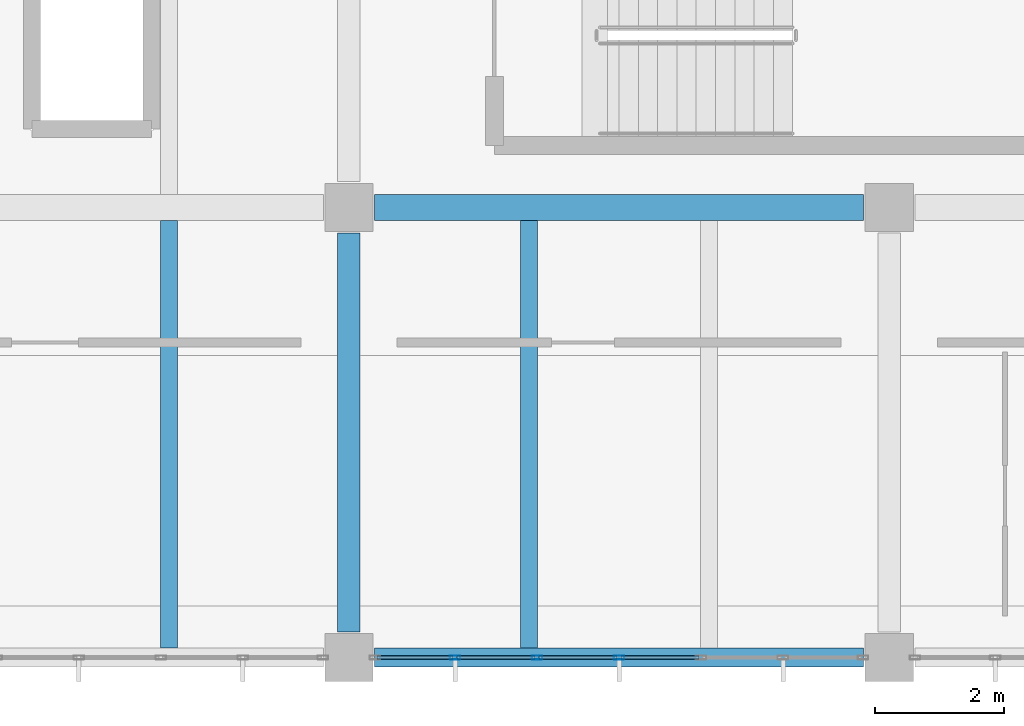
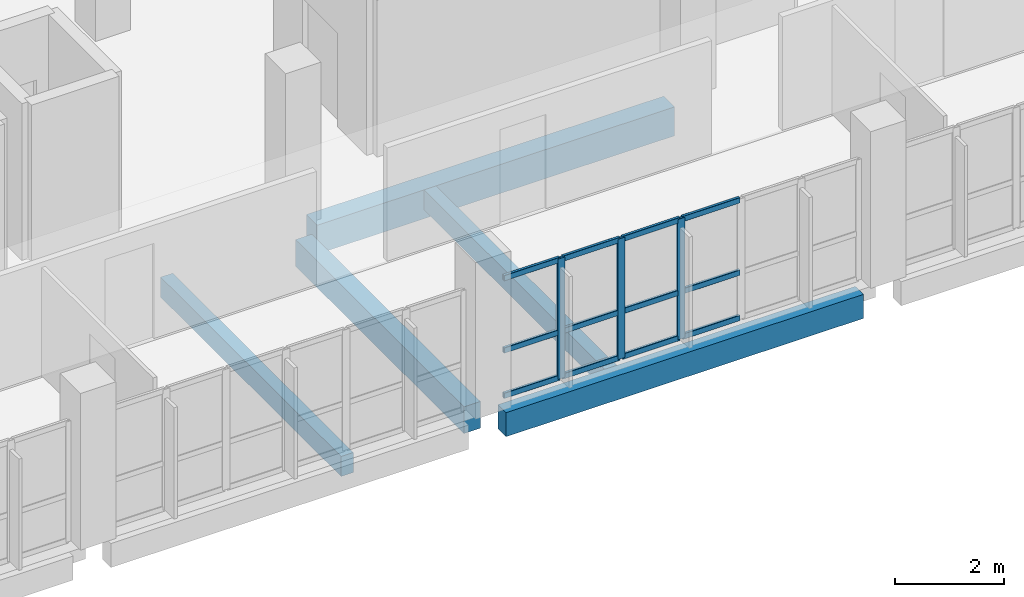
# One storey, part 8 of 95: 15 members, 5 beams, 1 element without a shape of its own.
"""IFC4 building model written with IfcOpenShell, lengths in metres."""

import ifcopenshell
import ifcopenshell.guid

model = None  # the IFC model being written
_history = None  # IfcOwnerHistory: only IFC2X3 demands one
_inside = {}  # id of a spatial element -> (the spatial element, [elements in it])
_under = {}  # id of a project, library or spatial element -> (it, [spatial elements below it])
_declared = {}  # id of a project -> (the project, [libraries it declares])
_typed = {}  # id of a type object -> (the type object, [elements of that type])
_made_of = {}  # id of a material, layer set ... -> (it, [elements and type objects made of it])


def new_model(schema):
    """Start an empty IFC model of exactly this schema.

    Asked for "IFC4X3", IfcOpenShell would pick the latest addendum, in which some entities
    have other attributes; the version numbers below select the first issue.
    IFC2X3 requires an IfcOwnerHistory on every rooted entity: one is made here for all.
    """
    global model, _history
    if schema == "IFC4X3":
        model = ifcopenshell.file(schema_version=(4, 3, 0, 0))
    else:
        model = ifcopenshell.file(schema=schema)
    _inside.clear()
    _under.clear()
    _declared.clear()
    _typed.clear()
    _made_of.clear()
    _history = None
    if model.schema == "IFC2X3":
        org = make("IfcOrganization", Name="unknown")
        user = make(
            "IfcPersonAndOrganization",
            ThePerson=make("IfcPerson", FamilyName="unknown"),
            TheOrganization=org,
        )
        app = make(
            "IfcApplication",
            ApplicationDeveloper=org,
            Version="unknown",
            ApplicationFullName="unknown",
            ApplicationIdentifier="unknown",
        )
        _history = make(
            "IfcOwnerHistory",
            OwningUser=user,
            OwningApplication=app,
            ChangeAction="ADDED",
            CreationDate=0,
        )
    return model


def make(cls, **values):
    """One entity of the class cls with the attributes given. An attribute that is None is left unset."""
    return model.create_entity(
        cls, **{name: value for name, value in values.items() if value is not None}
    )


def rooted(cls, **values):
    """An entity with a GlobalId (a new one), such as an element, a storey or a relation."""
    return make(cls, GlobalId=ifcopenshell.guid.new(), OwnerHistory=_history, **values)


def si_unit(unit_type, name, prefix=None):
    """IfcSIUnit, for example si_unit("LENGTHUNIT", "METRE", prefix="MILLI")."""
    return make("IfcSIUnit", UnitType=unit_type, Prefix=prefix, Name=name)


def assignment(units):
    """IfcUnitAssignment: the units of a project."""
    return None if units is None else make("IfcUnitAssignment", Units=units)


def point(xyz):
    """IfcCartesianPoint."""
    return None if xyz is None else make("IfcCartesianPoint", Coordinates=xyz)


def direction(xyz):
    """IfcDirection."""
    return None if xyz is None else make("IfcDirection", DirectionRatios=xyz)


def frame(location, z_axis=None, x_axis=None):
    """IfcAxis2Placement3D, a coordinate frame: its origin and axes. An axis left out is left unset."""
    return make(
        "IfcAxis2Placement3D",
        Location=point(location),
        Axis=direction(z_axis),
        RefDirection=direction(x_axis),
    )


def frame_2d(location, x_axis=None):
    """IfcAxis2Placement2D, a coordinate frame in the plane: its origin and x axis."""
    return make(
        "IfcAxis2Placement2D", Location=point(location), RefDirection=direction(x_axis)
    )


def origin():
    """The frame at (0, 0, 0) with its axes left unset."""
    return frame((0.0, 0.0, 0.0))


def origin_2d():
    """The frame at (0, 0) in the plane with its x axis left unset."""
    return frame_2d((0.0, 0.0))


def place(relative_to, where):
    """IfcLocalPlacement: puts the frame where relative to a parent placement (None: the world)."""
    return make(
        "IfcLocalPlacement", PlacementRelTo=relative_to, RelativePlacement=where
    )


def context(
    kind, dimensions, precision=None, world=None, true_north=None, identifier=None
):
    """IfcGeometricRepresentationContext, for example the 3D "Model" context."""
    return make(
        "IfcGeometricRepresentationContext",
        ContextIdentifier=identifier,
        ContextType=kind,
        CoordinateSpaceDimension=dimensions,
        Precision=precision,
        WorldCoordinateSystem=world,
        TrueNorth=true_north,
    )


def subcontext(parent, identifier, kind, view, scale=None):
    """IfcGeometricRepresentationSubContext, for example "Body" below "Model"."""
    return make(
        "IfcGeometricRepresentationSubContext",
        ContextIdentifier=identifier,
        ContextType=kind,
        ParentContext=parent,
        TargetScale=scale,
        TargetView=view,
    )


def project(units=None, contexts=None):
    """IfcProject with its units and contexts."""
    return rooted(
        "IfcProject",
        Name="project",
        RepresentationContexts=contexts,
        UnitsInContext=assignment(units),
    )


def spatial(cls, under=None, at=None, **own):
    """A site, building, storey or space (cls), placed at a placement, below another one or the project."""
    s = rooted(cls, ObjectPlacement=at, **own)
    if under is not None:
        _under.setdefault(under.id(), (under, []))[1].append(s)
    return s


def profile(cls, at=None, kind="AREA", **sizes):
    """A parametric profile (cls). Its sizes go by their IFC names, for example OverallWidth=200.0."""
    return make(cls, ProfileType=kind, Position=at, **sizes)


def rectangle(**sizes):
    """IfcRectangleProfileDef."""
    return profile("IfcRectangleProfileDef", **sizes)


def hollow_rectangle(**sizes):
    """IfcRectangleHollowProfileDef."""
    return profile("IfcRectangleHollowProfileDef", **sizes)


def extrude(swept, where, along, depth):
    """IfcExtrudedAreaSolid: the profile swept, set in the frame where, extruded along a direction by depth."""
    return make(
        "IfcExtrudedAreaSolid",
        SweptArea=swept,
        Position=where,
        ExtrudedDirection=direction(along),
        Depth=depth,
    )


def shape(context_of_items, identifier, shape_type, items):
    """IfcShapeRepresentation: the items that make up one representation, for example the "Body"."""
    return make(
        "IfcShapeRepresentation",
        ContextOfItems=context_of_items,
        RepresentationIdentifier=identifier,
        RepresentationType=shape_type,
        Items=items,
    )


def material(Name=None, Category=None):
    """IfcMaterial."""
    return make("IfcMaterial", Name=Name, Category=Category)


def layer(
    of_material, thickness, ventilated=None, Name=None, Category=None, Priority=None
):
    """IfcMaterialLayer: one layer of a wall or slab, of a material (None: an air gap)."""
    return make(
        "IfcMaterialLayer",
        Material=of_material,
        LayerThickness=thickness,
        IsVentilated=ventilated,
        Name=Name,
        Category=Category,
        Priority=Priority,
    )


def layer_set(layers, Name=None):
    """IfcMaterialLayerSet."""
    return make("IfcMaterialLayerSet", MaterialLayers=layers, LayerSetName=Name)


def material_profile(
    of_material, cross_section, Name=None, Category=None, Priority=None
):
    """IfcMaterialProfile: a cross section and its material."""
    return make(
        "IfcMaterialProfile",
        Name=Name,
        Material=of_material,
        Profile=cross_section,
        Priority=Priority,
        Category=Category,
    )


def profile_set(profiles, Name=None, composite=None):
    """IfcMaterialProfileSet."""
    return make(
        "IfcMaterialProfileSet",
        Name=Name,
        MaterialProfiles=profiles,
        CompositeProfile=composite,
    )


def made_of(thing, what):
    """Note that an element or type object is made of a material, layer set ...; save() writes the relation."""
    if what is not None:
        _made_of.setdefault(what.id(), (what, []))[1].append(thing)
    return thing


def type_object(cls, material=None, **own):
    """A type object (cls), such as IfcWallType, which elements share."""
    return made_of(rooted(cls, **own), material)


def element(
    cls,
    number,
    at=None,
    inside=None,
    cuts=None,
    type_object=None,
    material=None,
    context=None,
    identifier="Body",
    shape_type=None,
    held_by="IfcProductDefinitionShape",
    body=None,
    shapes=None,
    **own,
):
    """One element of the class cls, such as IfcWall. Its Tag is "e" and its number.

    at: its placement. inside: the storey or other place that contains it. cuts: it is an
    opening in that element (IfcRelVoidsElement). A single representation is given by context,
    identifier, shape_type and body (its items); several are given by shapes. held_by: the class
    of the entity that holds the representations. save() writes the other relations.
    """
    e = rooted(cls, Tag="e%d" % number, ObjectPlacement=at, **own)
    if body is not None:
        shapes = [shape(context, identifier, shape_type, body)]
    if shapes is not None:
        e.Representation = make(held_by, Representations=shapes)
    if inside is not None:
        _inside.setdefault(inside.id(), (inside, []))[1].append(e)
    if cuts is not None:
        rooted(
            "IfcRelVoidsElement", RelatingBuildingElement=cuts, RelatedOpeningElement=e
        )
    if type_object is not None:
        _typed.setdefault(type_object.id(), (type_object, []))[1].append(e)
    return made_of(e, material)


def aggregate(whole, parts):
    """IfcRelAggregates: a whole, such as a stair, and the parts it consists of."""
    return rooted("IfcRelAggregates", RelatingObject=whole, RelatedObjects=parts)


def save(model, path):
    """Write the relations noted so far, then the file.

    IfcRelAggregates (storeys below a building ...), IfcRelContainedInSpatialStructure (elements
    in a storey), IfcRelDefinesByType, IfcRelAssociatesMaterial and IfcRelDeclares: one each for
    every whole, place, type object, material and project.
    """
    for whole, parts in _under.values():
        aggregate(whole, parts)
    for where, things in _inside.values():
        rooted(
            "IfcRelContainedInSpatialStructure",
            RelatedElements=things,
            RelatingStructure=where,
        )
    for kind, things in _typed.values():
        rooted("IfcRelDefinesByType", RelatedObjects=things, RelatingType=kind)
    for what, things in _made_of.values():
        rooted("IfcRelAssociatesMaterial", RelatedObjects=things, RelatingMaterial=what)
    for by, libraries in _declared.values():
        rooted("IfcRelDeclares", RelatingContext=by, RelatedDefinitions=libraries)
    model.write(path)


model = new_model("IFC4")

# Units and contexts
model_context = context("Model", 3, precision=1e-05, world=origin(), true_north=direction((0.0, 1.0)))
body_context = subcontext(model_context, "Body", "Model", "MODEL_VIEW")
ifc_project = project(units=[si_unit("LENGTHUNIT", "METRE"), si_unit("AREAUNIT", "SQUARE_METRE"), si_unit("VOLUMEUNIT", "CUBIC_METRE"), si_unit("PLANEANGLEUNIT", "RADIAN"), si_unit("MASSUNIT", "GRAM", prefix="KILO"), si_unit("THERMODYNAMICTEMPERATUREUNIT", "KELVIN"), si_unit("POWERUNIT", "WATT")], contexts=[model_context])

# Site, building, storey
site_placement = place(None, origin())
site = spatial("IfcSite", under=ifc_project, at=site_placement, CompositionType="ELEMENT")
building_placement = place(site_placement, origin())
building = spatial("IfcBuilding", under=site, at=building_placement, Name="Mavoryth Pier Ferry Terminal", CompositionType="ELEMENT")
storey_placement = place(building_placement, frame((0.0, 0.0, 9.60009765625)))
storey = spatial("IfcBuildingStorey", under=building, at=storey_placement, Name="L02", CompositionType="ELEMENT", Elevation=9.60009765625)

# Beams
ifc_material_1 = material(Name="Concrete C35/45", Category="concrete")
ifc_material_profile_1 = material_profile(ifc_material_1, rectangle(XDim=0.35009765625, YDim=0.60009765625, at=origin_2d()), Name="RC 350x600", Category="concrete")
ifc_profile_set_1 = profile_set([ifc_material_profile_1], Name="Concrete C35/45 - RC 350x600")
beam_type_1 = type_object("IfcBeamType", Name="Girder-RC-350x600", PredefinedType="BEAM", material=ifc_profile_set_1)
beam_1_placement = place(storey_placement, frame((58.800048828125, 0.39990234375, -0.56005859375), z_axis=(0.0, 1.0, 0.0), x_axis=(-1.0, 0.0, 0.0)))
element("IfcBeam", 1, at=beam_1_placement, inside=storey, type_object=beam_type_1, Name="Beam B02-BG08-0981", PredefinedType="BEAM", context=body_context, shape_type="SweptSolid", body=[
    extrude(rectangle(XDim=0.35009765625, YDim=0.60009765625, at=origin_2d()), origin(), (0.0, 0.0, 1.0), 6.2001953125),
])
ifc_material_profile_2 = material_profile(ifc_material_1, rectangle(XDim=0.39990234375, YDim=0.64990234375, at=origin_2d()), Name="RC 400x650", Category="concrete")
ifc_profile_set_2 = profile_set([ifc_material_profile_2], Name="Concrete C35/45 - RC 400x650")
beam_type_2 = type_object("IfcBeamType", Name="Girder-RC-400x650", PredefinedType="BEAM", material=ifc_profile_set_2)
beam_2_placement = place(storey_placement, frame((59.199951171875, 7.0, -0.585205078125), z_axis=(1.0, 0.0, 0.0), x_axis=(0.0, 1.0, 0.0)))
element("IfcBeam", 2, at=beam_2_placement, inside=storey, type_object=beam_type_2, Name="Beam B02-BG05-0959", PredefinedType="BEAM", context=body_context, shape_type="SweptSolid", body=[
    extrude(rectangle(XDim=0.39990234375, YDim=0.64990234375, at=origin_2d()), origin(), (0.0, 0.0, 1.0), 7.60009765625),
])
ifc_material_profile_3 = material_profile(ifc_material_1, rectangle(XDim=0.260009765625, YDim=0.449951171875, at=origin_2d()), Name="RC 260x450", Category="concrete")
ifc_profile_set_3 = profile_set([ifc_material_profile_3], Name="Concrete C35/45 - RC 260x450")
beam_type_3 = type_object("IfcBeamType", Name="Joist-RC-260x450", PredefinedType="JOIST", material=ifc_profile_set_3)
for number, where, z_axis, x_axis, name in (
    (3, (56.0, 0.14990234375, -0.485107421875), (0.0, 1.0, 0.0), (-1.0, 0.0, 0.0), "Beam B02-BJ03-1001"),
    (4, (61.60009765625, 0.14990234375, -0.485107421875), (0.0, 1.0, 0.0), (-1.0, 0.0, 0.0), "Beam B02-BJ03-1006"),
):
    element("IfcBeam", number, at=place(storey_placement, frame(where, z_axis=z_axis, x_axis=x_axis)), inside=storey, type_object=beam_type_3, Name=name, PredefinedType="JOIST", context=body_context, shape_type="SweptSolid", body=[
        extrude(rectangle(XDim=0.260009765625, YDim=0.449951171875, at=origin_2d()), origin(), (0.0, 0.0, 1.0), 6.650146484375),
    ])

# Curtain wall, members
ifc_material_2 = material(Name="Anodised Aluminium and Solar-Control Low-E Glass", Category="aluminium")
ifc_layer = layer(ifc_material_2, 0.239990234375, Name="Anodised Aluminium and Solar-Control Low-E Glass", Category="aluminium")
ifc_layer_set = layer_set([ifc_layer], Name="Anodised Aluminium and Solar-Control Low-E Glass - CW-Operations-Mod1200")
curtain_wall_type = type_object("IfcCurtainWallType", Name="CW-Operations-Mod1200", PredefinedType="USERDEFINED", material=ifc_layer_set)
curtain_wall_placement = place(storey_placement, origin())
curtain_wall = element("IfcCurtainWall", 5, at=curtain_wall_placement, inside=storey, type_object=curtain_wall_type, Name="Curtain Wall CW-0222-125", ObjectType="UNITISED CURTAIN WALL", PredefinedType="USERDEFINED")
ifc_material_3 = material(Name="Anodised Aluminium EN AW-6063", Category="aluminium")
ifc_material_profile_4 = material_profile(ifc_material_3, hollow_rectangle(XDim=0.06005859375, YDim=0.1650390625, WallThickness=0.00390625, InnerFilletRadius=0.00390625, OuterFilletRadius=0.008056640625, at=origin_2d()), Name="AL-MULL 165x60x4", Category="aluminium")
ifc_profile_set_4 = profile_set([ifc_material_profile_4], Name="Anodised Aluminium EN AW-6063 - AL-MULL 165x60x4")
member_type_1 = type_object("IfcMemberType", Name="Mullion-Alum-165x60", PredefinedType="MULLION", material=ifc_profile_set_4)
member_1_placement = place(storey_placement, frame((60.449951171875, 0.0, 0.0), z_axis=(0.0, 0.0, 1.0), x_axis=(0.0, 1.0, 0.0)))
member_1 = element("IfcMember", 6, at=member_1_placement, type_object=member_type_1, Name="CW06 mullion 2", PredefinedType="MULLION", context=body_context, shape_type="SweptSolid", body=[
    extrude(hollow_rectangle(XDim=0.06005859375, YDim=0.1650390625, WallThickness=0.00390625, InnerFilletRadius=0.00390625, OuterFilletRadius=0.008056640625, at=origin_2d()), origin(), (0.0, 0.0, 1.0), 2.704833984375),
])
member_2_placement = place(storey_placement, frame((61.72509765625, 0.0, 0.0), z_axis=(0.0, 0.0, 1.0), x_axis=(0.0, 1.0, 0.0)))
member_2 = element("IfcMember", 7, at=member_2_placement, type_object=member_type_1, Name="CW06 mullion 3", PredefinedType="MULLION", context=body_context, shape_type="SweptSolid", body=[
    extrude(hollow_rectangle(XDim=0.06005859375, YDim=0.1650390625, WallThickness=0.00390625, InnerFilletRadius=0.00390625, OuterFilletRadius=0.008056640625, at=origin_2d()), origin(), (0.0, 0.0, 1.0), 2.704833984375),
])
member_3_placement = place(storey_placement, frame((63.0, 0.0, 0.0), z_axis=(0.0, 0.0, 1.0), x_axis=(0.0, 1.0, 0.0)))
member_3 = element("IfcMember", 8, at=member_3_placement, type_object=member_type_1, Name="CW06 mullion 4", PredefinedType="MULLION", context=body_context, shape_type="SweptSolid", body=[
    extrude(hollow_rectangle(XDim=0.06005859375, YDim=0.1650390625, WallThickness=0.00390625, InnerFilletRadius=0.00390625, OuterFilletRadius=0.008056640625, at=origin_2d()), origin(), (0.0, 0.0, 1.0), 2.704833984375),
])

# Beam
ifc_material_profile_5 = material_profile(ifc_material_1, rectangle(XDim=0.300048828125, YDim=0.5400390625, at=origin_2d()), Name="RC 300x540", Category="concrete")
ifc_profile_set_5 = profile_set([ifc_material_profile_5], Name="Concrete C35/45 - RC 300x540")
beam_type_4 = type_object("IfcBeamType", Name="Spandrel-RC-300x540", PredefinedType="SPANDREL", material=ifc_profile_set_5)
beam_3_placement = place(storey_placement, frame((59.199951171875, 0.0, -0.530029296875), z_axis=(1.0, 0.0, 0.0), x_axis=(0.0, 1.0, 0.0)))
element("IfcBeam", 9, at=beam_3_placement, inside=storey, type_object=beam_type_4, Name="Beam B02-SP02-0953", PredefinedType="SPANDREL", context=body_context, shape_type="SweptSolid", body=[
    extrude(rectangle(XDim=0.300048828125, YDim=0.5400390625, at=origin_2d()), origin(), (0.0, 0.0, 1.0), 7.60009765625),
])

# Member
ifc_material_profile_6 = material_profile(ifc_material_3, hollow_rectangle(XDim=0.06005859375, YDim=0.125, WallThickness=0.00390625, InnerFilletRadius=0.00390625, OuterFilletRadius=0.008056640625, at=origin_2d()), Name="AL-TRAN 125x60x4", Category="aluminium")
ifc_profile_set_6 = profile_set([ifc_material_profile_6], Name="Anodised Aluminium EN AW-6063 - AL-TRAN 125x60x4")
member_type_2 = type_object("IfcMemberType", Name="Transom-Alum-125x60", PredefinedType="USERDEFINED", material=ifc_profile_set_6)
member_4_placement = place(storey_placement, frame((59.235107421875, 0.0, 0.02978515625), z_axis=(1.0, 0.0, 0.0), x_axis=(0.0, 1.0, 0.0)))
member_4 = element("IfcMember", 10, at=member_4_placement, type_object=member_type_2, Name="CW06 transom 1.1", ObjectType="TRANSOM", PredefinedType="USERDEFINED", context=body_context, shape_type="SweptSolid", body=[
    extrude(hollow_rectangle(XDim=0.06005859375, YDim=0.125, WallThickness=0.00390625, InnerFilletRadius=0.00390625, OuterFilletRadius=0.008056640625, at=origin_2d()), origin(), (0.0, 0.0, 1.0), 1.184814453125),
])

member_5_placement = place(storey_placement, frame((59.235107421875, 0.0, 1.0498046875), z_axis=(1.0, 0.0, 0.0), x_axis=(0.0, 1.0, 0.0)))
member_5 = element("IfcMember", 11, at=member_5_placement, type_object=member_type_2, Name="CW06 transom 1.2", ObjectType="TRANSOM", PredefinedType="USERDEFINED", context=body_context, shape_type="SweptSolid", body=[
    extrude(hollow_rectangle(XDim=0.06005859375, YDim=0.125, WallThickness=0.00390625, InnerFilletRadius=0.00390625, OuterFilletRadius=0.008056640625, at=origin_2d()), origin(), (0.0, 0.0, 1.0), 1.184814453125),
])

member_6_placement = place(storey_placement, frame((59.235107421875, 0.0, 2.6748046875), z_axis=(1.0, 0.0, 0.0), x_axis=(0.0, 1.0, 0.0)))
member_6 = element("IfcMember", 12, at=member_6_placement, type_object=member_type_2, Name="CW06 transom 1.3", ObjectType="TRANSOM", PredefinedType="USERDEFINED", context=body_context, shape_type="SweptSolid", body=[
    extrude(hollow_rectangle(XDim=0.06005859375, YDim=0.125, WallThickness=0.00390625, InnerFilletRadius=0.00390625, OuterFilletRadius=0.008056640625, at=origin_2d()), origin(), (0.0, 0.0, 1.0), 1.184814453125),
])

member_7_placement = place(storey_placement, frame((60.47998046875, 0.0, 0.02978515625), z_axis=(1.0, 0.0, 0.0), x_axis=(0.0, 1.0, 0.0)))
member_7 = element("IfcMember", 13, at=member_7_placement, type_object=member_type_2, Name="CW06 transom 2.1", ObjectType="TRANSOM", PredefinedType="USERDEFINED", context=body_context, shape_type="SweptSolid", body=[
    extrude(hollow_rectangle(XDim=0.06005859375, YDim=0.125, WallThickness=0.00390625, InnerFilletRadius=0.00390625, OuterFilletRadius=0.008056640625, at=origin_2d()), origin(), (0.0, 0.0, 1.0), 1.215087890625),
])

member_8_placement = place(storey_placement, frame((60.47998046875, 0.0, 1.0498046875), z_axis=(1.0, 0.0, 0.0), x_axis=(0.0, 1.0, 0.0)))
member_8 = element("IfcMember", 14, at=member_8_placement, type_object=member_type_2, Name="CW06 transom 2.2", ObjectType="TRANSOM", PredefinedType="USERDEFINED", context=body_context, shape_type="SweptSolid", body=[
    extrude(hollow_rectangle(XDim=0.06005859375, YDim=0.125, WallThickness=0.00390625, InnerFilletRadius=0.00390625, OuterFilletRadius=0.008056640625, at=origin_2d()), origin(), (0.0, 0.0, 1.0), 1.215087890625),
])

member_9_placement = place(storey_placement, frame((60.47998046875, 0.0, 2.6748046875), z_axis=(1.0, 0.0, 0.0), x_axis=(0.0, 1.0, 0.0)))
member_9 = element("IfcMember", 15, at=member_9_placement, type_object=member_type_2, Name="CW06 transom 2.3", ObjectType="TRANSOM", PredefinedType="USERDEFINED", context=body_context, shape_type="SweptSolid", body=[
    extrude(hollow_rectangle(XDim=0.06005859375, YDim=0.125, WallThickness=0.00390625, InnerFilletRadius=0.00390625, OuterFilletRadius=0.008056640625, at=origin_2d()), origin(), (0.0, 0.0, 1.0), 1.215087890625),
])

member_10_placement = place(storey_placement, frame((61.7548828125, 0.0, 0.02978515625), z_axis=(1.0, 0.0, 0.0), x_axis=(0.0, 1.0, 0.0)))
member_10 = element("IfcMember", 16, at=member_10_placement, type_object=member_type_2, Name="CW06 transom 3.1", ObjectType="TRANSOM", PredefinedType="USERDEFINED", context=body_context, shape_type="SweptSolid", body=[
    extrude(hollow_rectangle(XDim=0.06005859375, YDim=0.125, WallThickness=0.00390625, InnerFilletRadius=0.00390625, OuterFilletRadius=0.008056640625, at=origin_2d()), origin(), (0.0, 0.0, 1.0), 1.215087890625),
])

member_11_placement = place(storey_placement, frame((61.7548828125, 0.0, 1.0498046875), z_axis=(1.0, 0.0, 0.0), x_axis=(0.0, 1.0, 0.0)))
member_11 = element("IfcMember", 17, at=member_11_placement, type_object=member_type_2, Name="CW06 transom 3.2", ObjectType="TRANSOM", PredefinedType="USERDEFINED", context=body_context, shape_type="SweptSolid", body=[
    extrude(hollow_rectangle(XDim=0.06005859375, YDim=0.125, WallThickness=0.00390625, InnerFilletRadius=0.00390625, OuterFilletRadius=0.008056640625, at=origin_2d()), origin(), (0.0, 0.0, 1.0), 1.215087890625),
])

member_12_placement = place(storey_placement, frame((61.7548828125, 0.0, 2.6748046875), z_axis=(1.0, 0.0, 0.0), x_axis=(0.0, 1.0, 0.0)))
member_12 = element("IfcMember", 18, at=member_12_placement, type_object=member_type_2, Name="CW06 transom 3.3", ObjectType="TRANSOM", PredefinedType="USERDEFINED", context=body_context, shape_type="SweptSolid", body=[
    extrude(hollow_rectangle(XDim=0.06005859375, YDim=0.125, WallThickness=0.00390625, InnerFilletRadius=0.00390625, OuterFilletRadius=0.008056640625, at=origin_2d()), origin(), (0.0, 0.0, 1.0), 1.215087890625),
])

member_13_placement = place(storey_placement, frame((63.030029296875, 0.0, 0.02978515625), z_axis=(1.0, 0.0, 0.0), x_axis=(0.0, 1.0, 0.0)))
member_13 = element("IfcMember", 19, at=member_13_placement, type_object=member_type_2, Name="CW06 transom 4.1", ObjectType="TRANSOM", PredefinedType="USERDEFINED", context=body_context, shape_type="SweptSolid", body=[
    extrude(hollow_rectangle(XDim=0.06005859375, YDim=0.125, WallThickness=0.00390625, InnerFilletRadius=0.00390625, OuterFilletRadius=0.008056640625, at=origin_2d()), origin(), (0.0, 0.0, 1.0), 1.215087890625),
])

member_14_placement = place(storey_placement, frame((63.030029296875, 0.0, 1.0498046875), z_axis=(1.0, 0.0, 0.0), x_axis=(0.0, 1.0, 0.0)))
member_14 = element("IfcMember", 20, at=member_14_placement, type_object=member_type_2, Name="CW06 transom 4.2", ObjectType="TRANSOM", PredefinedType="USERDEFINED", context=body_context, shape_type="SweptSolid", body=[
    extrude(hollow_rectangle(XDim=0.06005859375, YDim=0.125, WallThickness=0.00390625, InnerFilletRadius=0.00390625, OuterFilletRadius=0.008056640625, at=origin_2d()), origin(), (0.0, 0.0, 1.0), 1.215087890625),
])

member_15_placement = place(storey_placement, frame((63.030029296875, 0.0, 2.6748046875), z_axis=(1.0, 0.0, 0.0), x_axis=(0.0, 1.0, 0.0)))
member_15 = element("IfcMember", 21, at=member_15_placement, type_object=member_type_2, Name="CW06 transom 4.3", ObjectType="TRANSOM", PredefinedType="USERDEFINED", context=body_context, shape_type="SweptSolid", body=[
    extrude(hollow_rectangle(XDim=0.06005859375, YDim=0.125, WallThickness=0.00390625, InnerFilletRadius=0.00390625, OuterFilletRadius=0.008056640625, at=origin_2d()), origin(), (0.0, 0.0, 1.0), 1.215087890625),
])

aggregate(curtain_wall, [member_1, member_2, member_3, member_4, member_5, member_6, member_7, member_8, member_9, member_10, member_11, member_12, member_13, member_14, member_15])

save(model, "model.ifc")
